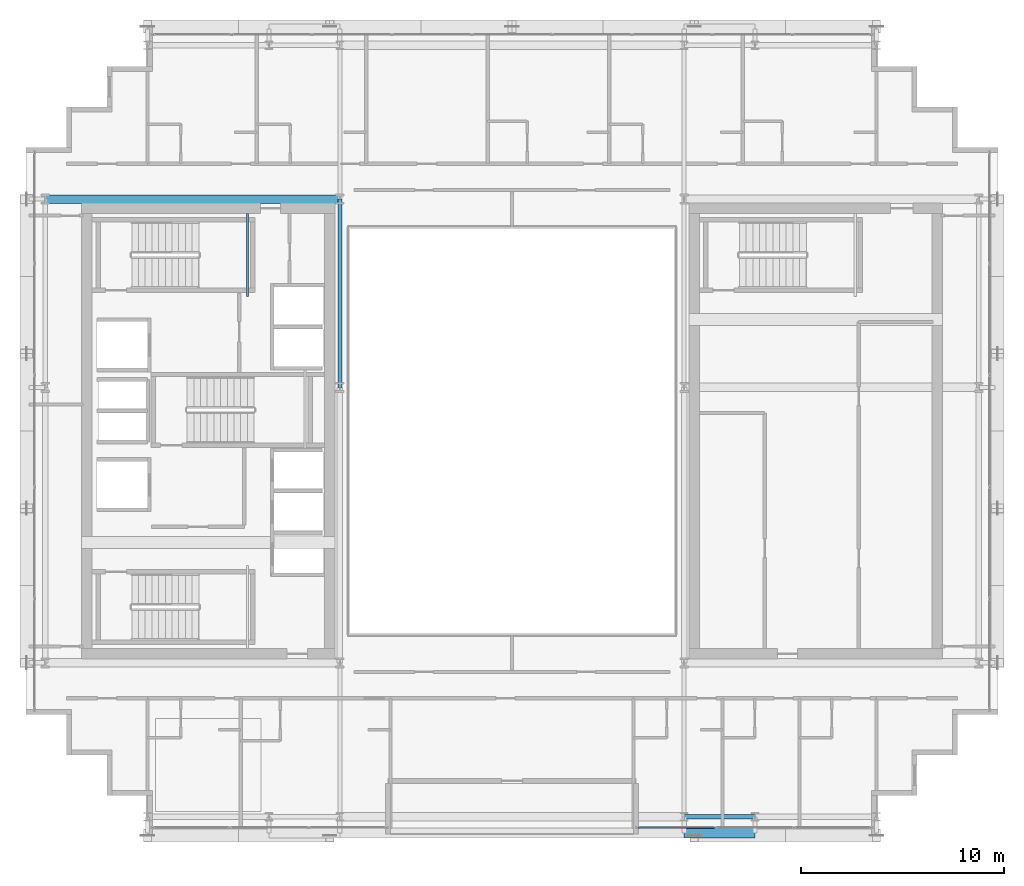
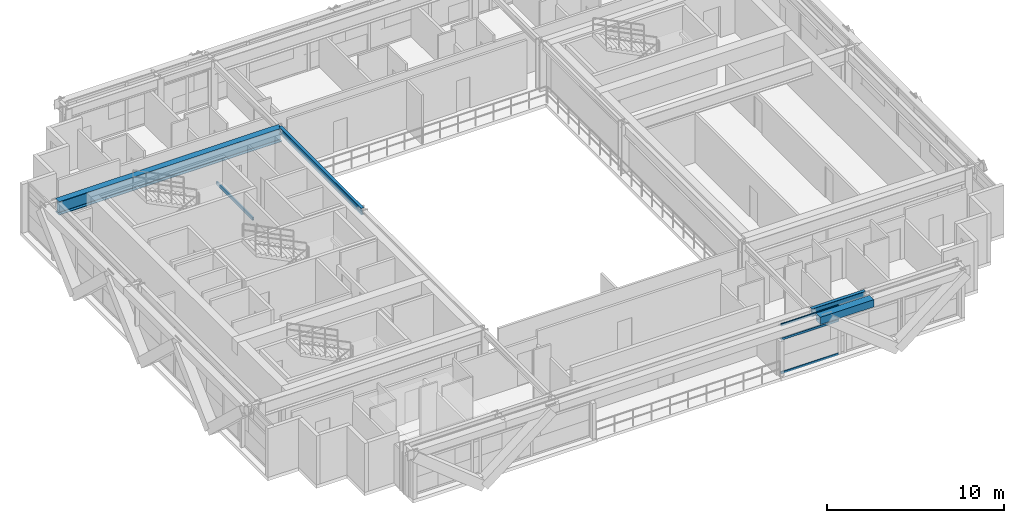
# One storey, part 9 of 32: 5 beams, 3 members, 1 element without a shape of its own.
"""IFC4 building model written with IfcOpenShell, lengths in metres."""

from ifc_helpers import new_model, si_unit, direction, frame, origin, origin_2d, place, context, subcontext, project, spatial, hollow_rectangle, i_section, extrude, source, transform, mapped, material, layer, layer_set, material_profile, profile_set, type_object, element, aggregate, save


model = new_model("IFC4")

# Units and contexts
model_context = context("Model", 3, precision=1e-05, world=origin(), true_north=direction((0.0, 1.0)))
body_context = subcontext(model_context, "Body", "Model", "MODEL_VIEW")
ifc_project = project(units=[si_unit("LENGTHUNIT", "METRE"), si_unit("AREAUNIT", "SQUARE_METRE"), si_unit("VOLUMEUNIT", "CUBIC_METRE"), si_unit("PLANEANGLEUNIT", "RADIAN"), si_unit("MASSUNIT", "GRAM", prefix="KILO")], contexts=[model_context])

# Site, building, storey
site_placement = place(None, origin())
site = spatial("IfcSite", under=ifc_project, at=site_placement, CompositionType="ELEMENT")
building_placement = place(site_placement, origin())
building = spatial("IfcBuilding", under=site, at=building_placement, Name="Ocotamira Hotel", CompositionType="ELEMENT")
storey_placement = place(building_placement, frame((0.0, 0.0, 206.39990234375)))
storey = spatial("IfcBuildingStorey", under=building, at=storey_placement, Name="L52", CompositionType="ELEMENT", Elevation=206.39990234375)

# Beams
ifc_material_1 = material(Name="Steel ASTM A500 Grade C", Category="steel")
ifc_material_profile_1 = material_profile(ifc_material_1, hollow_rectangle(XDim=0.10009765625, YDim=0.199951171875, WallThickness=0.008056640625, at=origin_2d()), Name="HSS200X100X8")
ifc_profile_set_1 = profile_set([ifc_material_profile_1], Name="Steel ASTM A500 Grade C")
beam_type_1 = type_object("IfcBeamType", Name="BM-STLDG-HSS200", PredefinedType="BEAM", material=ifc_profile_set_1)
shared_shape_1 = source(origin(), body_context, "Body", "SweptSolid", [
    extrude(hollow_rectangle(XDim=0.10009765625, YDim=0.199951171875, WallThickness=0.008056640625, at=origin_2d()), origin(), (0.0, 0.0, 1.0), 4.1201171875),
])
beam_1_placement = place(storey_placement, frame((18.949951171875, 32.6298828125, 1.5), z_axis=(0.0, 1.0, 0.0), x_axis=(-1.0, 0.0, 0.0)))
element("IfcBeam", 1, at=beam_1_placement, inside=storey, type_object=beam_type_1, Name="L52 Stair ST-2 Landing Bearer 1", PredefinedType="BEAM", context=body_context, shape_type="MappedRepresentation", body=[
    mapped(shared_shape_1, transform((0.0, 0.0, 0.0), scale=1.0)),
])
ifc_material_2 = material(Name="Steel ASTM A992 Grade 50", Category="steel")
ifc_material_profile_2 = material_profile(ifc_material_2, i_section(OverallWidth=0.41796875, OverallDepth=0.927001953125, WebThickness=0.019287109375, FlangeThickness=0.031982421875, FilletRadius=0.02392578125, at=origin_2d()), Name="W36X231")
ifc_profile_set_2 = profile_set([ifc_material_profile_2], Name="Steel ASTM A992 Grade 50")
beam_type_2 = type_object("IfcBeamType", Name="BM-GIRD-W36X231", PredefinedType="BEAM", material=ifc_profile_set_2)
shared_shape_2 = source(origin(), body_context, "Body", "SweptSolid", [
    extrude(i_section(OverallWidth=0.41796875, OverallDepth=0.927001953125, WebThickness=0.019287109375, FlangeThickness=0.031982421875, FilletRadius=0.02392578125, at=origin_2d()), origin(), (0.0, 0.0, 1.0), 14.550048828125),
])
beam_2_placement = place(storey_placement, frame((8.949951171875, 37.449951171875, 2.906494140625), z_axis=(1.0, 0.0, 0.0), x_axis=(0.0, 1.0, 0.0)))
element("IfcBeam", 2, at=beam_2_placement, inside=storey, type_object=beam_type_2, Name="L52 Girder Y37.45 X8.95-23.5", PredefinedType="BEAM", context=body_context, shape_type="MappedRepresentation", body=[
    mapped(shared_shape_2, transform((0.0, 0.0, 0.0), scale=1.0)),
])
ifc_material_profile_3 = material_profile(ifc_material_2, i_section(OverallWidth=0.2099609375, OverallDepth=0.537109375, WebThickness=0.010986328125, FlangeThickness=0.017333984375, FilletRadius=0.012939453125, at=origin_2d()), Name="W21X68")
ifc_profile_set_3 = profile_set([ifc_material_profile_3], Name="Steel ASTM A992 Grade 50")
beam_type_3 = type_object("IfcBeamType", Name="BM-SEC-W21X68", PredefinedType="JOIST", material=ifc_profile_set_3)
shared_shape_3 = source(origin(), body_context, "Body", "SweptSolid", [
    extrude(i_section(OverallWidth=0.2099609375, OverallDepth=0.537109375, WebThickness=0.010986328125, FlangeThickness=0.017333984375, FilletRadius=0.012939453125, at=origin_2d()), origin(), (0.0, 0.0, 1.0), 3.5),
])
beam_3_placement = place(storey_placement, frame((40.5, 6.949951171875, 3.1015625), z_axis=(1.0, 0.0, 0.0), x_axis=(0.0, 1.0, 0.0)))
element("IfcBeam", 3, at=beam_3_placement, inside=storey, type_object=beam_type_3, Name="L52 Girder Y6.95 X40.5-44", PredefinedType="JOIST", context=body_context, shape_type="MappedRepresentation", body=[
    mapped(shared_shape_3, transform((0.0, 0.0, 0.0), scale=1.0)),
])
ifc_material_profile_4 = material_profile(ifc_material_2, i_section(OverallWidth=0.18994140625, OverallDepth=0.45703125, WebThickness=0.009033203125, FlangeThickness=0.014404296875, FilletRadius=0.010009765625, at=origin_2d()), Name="W18X50")
ifc_profile_set_4 = profile_set([ifc_material_profile_4], Name="Steel ASTM A992 Grade 50")
beam_type_4 = type_object("IfcBeamType", Name="BM-SEC-W18X50", PredefinedType="JOIST", material=ifc_profile_set_4)
shared_shape_4 = source(origin(), body_context, "Body", "SweptSolid", [
    extrude(i_section(OverallWidth=0.18994140625, OverallDepth=0.45703125, WebThickness=0.009033203125, FlangeThickness=0.014404296875, FilletRadius=0.010009765625, at=origin_2d()), origin(), (0.0, 0.0, 1.0), 9.300048828125),
])
beam_4_placement = place(storey_placement, frame((23.5, 28.14990234375, 3.1416015625), z_axis=(0.0, 1.0, 0.0), x_axis=(-1.0, 0.0, 0.0)))
element("IfcBeam", 4, at=beam_4_placement, inside=storey, type_object=beam_type_4, Name="L52 Beam X23.5 Y28.15-37.45", PredefinedType="JOIST", context=body_context, shape_type="MappedRepresentation", body=[
    mapped(shared_shape_4, transform((0.0, 0.0, 0.0), scale=1.0)),
])
ifc_material_profile_5 = material_profile(ifc_material_1, hollow_rectangle(XDim=0.5, YDim=0.5, WallThickness=0.02001953125, at=origin_2d()), Name="HSS500X500X20")
ifc_profile_set_5 = profile_set([ifc_material_profile_5], Name="Steel ASTM A500 Grade C")
beam_type_5 = type_object("IfcBeamType", Name="BM-SPAN-HSS500", PredefinedType="USERDEFINED", material=ifc_profile_set_5)
shared_shape_5 = source(origin(), body_context, "Body", "SweptSolid", [
    extrude(hollow_rectangle(XDim=0.5, YDim=0.5, WallThickness=0.02001953125, at=origin_2d()), origin(), (0.0, 0.0, 1.0), 3.5),
])
beam_5_placement = place(storey_placement, frame((40.5, 6.14990234375, 3.1201171875), z_axis=(1.0, 0.0, 0.0), x_axis=(0.0, 1.0, 0.0)))
element("IfcBeam", 5, at=beam_5_placement, inside=storey, type_object=beam_type_5, Name="L52 Edge Spandrel S X40.5-44", ObjectType="SPANDREL", PredefinedType="USERDEFINED", context=body_context, shape_type="MappedRepresentation", body=[
    mapped(shared_shape_5, transform((0.0, 0.0, 0.0), scale=1.0)),
])

# Curtain wall, members
ifc_material_3 = material(Name="Anodised pale-metal aluminium and solar glass", Category="aluminium")
ifc_layer = layer(ifc_material_3, 0.199951171875)
ifc_layer_set = layer_set([ifc_layer], Name="Anodised pale-metal aluminium and solar glass")
curtain_wall_type = type_object("IfcCurtainWallType", Name="CW-SYS4-Z3", PredefinedType="NOTDEFINED", material=ifc_layer_set)
curtain_wall_placement = place(storey_placement, origin())
curtain_wall = element("IfcCurtainWall", 6, at=curtain_wall_placement, inside=storey, type_object=curtain_wall_type, Name="L52 Curtain Wall CW-4 CW-L52-S2", PredefinedType="NOTDEFINED")
ifc_material_4 = material(Name="Anodised pale-metal aluminium 6063-T6", Category="aluminium")
ifc_material_profile_6 = material_profile(ifc_material_4, hollow_rectangle(XDim=0.074951171875, YDim=0.14990234375, WallThickness=0.006103515625, at=origin_2d()), Name="HSS150X75X6")
ifc_profile_set_6 = profile_set([ifc_material_profile_6], Name="Anodised pale-metal aluminium 6063-T6")
member_type = type_object("IfcMemberType", Name="CWT-150X75", PredefinedType="USERDEFINED", material=ifc_profile_set_6)
shared_shape_6 = source(origin(), body_context, "Body", "SweptSolid", [
    extrude(hollow_rectangle(XDim=0.074951171875, YDim=0.14990234375, WallThickness=0.006103515625, at=origin_2d()), origin(), (0.0, 0.0, 1.0), 3.763427734375),
])
member_1_placement = place(storey_placement, frame((38.22998046875, 6.419921875, 0.03759765625), z_axis=(1.0, 0.0, 0.0), x_axis=(0.0, 1.0, 0.0)))
member_1 = element("IfcMember", 7, at=member_1_placement, type_object=member_type, Name="CW-4 transom 1.1", ObjectType="TRANSOM", PredefinedType="USERDEFINED", context=body_context, shape_type="MappedRepresentation", body=[
    mapped(shared_shape_6, transform((0.0, 0.0, 0.0), scale=1.0)),
])
member_2_placement = place(storey_placement, frame((38.22998046875, 6.419921875, 2.35009765625), z_axis=(1.0, 0.0, 0.0), x_axis=(0.0, 1.0, 0.0)))
member_2 = element("IfcMember", 8, at=member_2_placement, type_object=member_type, Name="CW-4 transom 1.2", ObjectType="TRANSOM", PredefinedType="USERDEFINED", context=body_context, shape_type="MappedRepresentation", body=[
    mapped(shared_shape_6, transform((0.0, 0.0, 0.0), scale=1.0)),
])
member_3_placement = place(storey_placement, frame((38.22998046875, 6.419921875, 3.33251953125), z_axis=(1.0, 0.0, 0.0), x_axis=(0.0, 1.0, 0.0)))
member_3 = element("IfcMember", 9, at=member_3_placement, type_object=member_type, Name="CW-4 transom 1.3", ObjectType="TRANSOM", PredefinedType="USERDEFINED", context=body_context, shape_type="MappedRepresentation", body=[
    mapped(shared_shape_6, transform((0.0, 0.0, 0.0), scale=1.0)),
])
aggregate(curtain_wall, [member_1, member_2, member_3])

save(model, "model.ifc")
